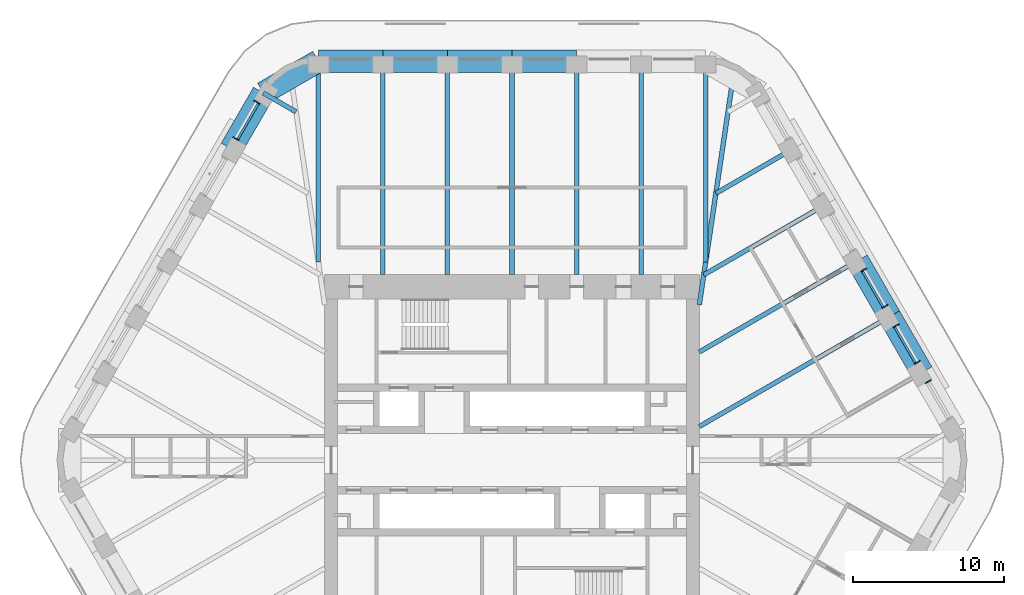
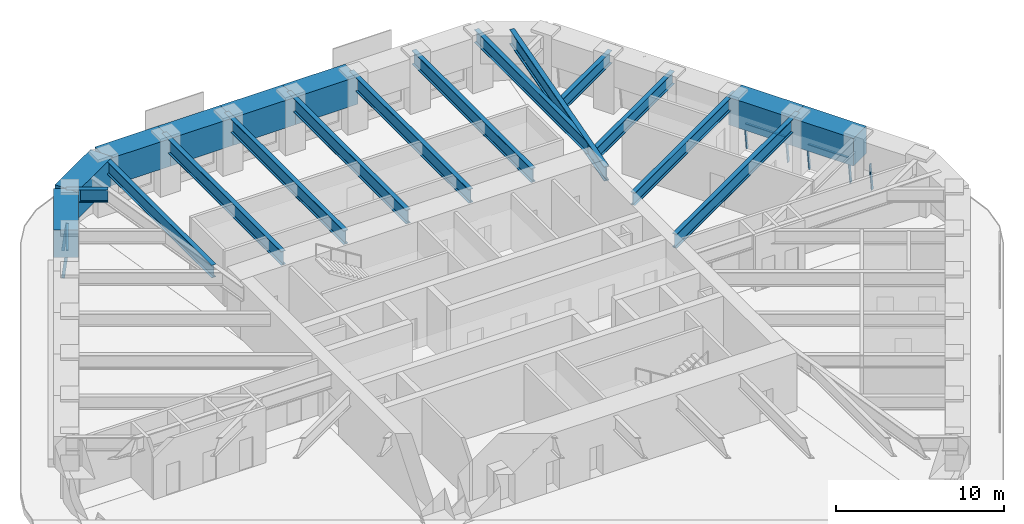
# One storey, part 9 of 18: 21 beams, 10 members, 4 elements without a shape of their own.
"""IFC4 building model written with IfcOpenShell, lengths in metres."""

from ifc_helpers import new_model, si_unit, direction, frame, origin, origin_2d, place, context, subcontext, project, spatial, rectangle, i_section, extrude, material, material_profile, profile_set, type_object, element, aggregate, save


model = new_model("IFC4")

# Units and contexts
model_context = context("Model", 3, precision=1e-05, world=origin(), true_north=direction((0.0, 1.0)))
body_context = subcontext(model_context, "Body", "Model", "MODEL_VIEW")
ifc_project = project(units=[si_unit("LENGTHUNIT", "METRE"), si_unit("AREAUNIT", "SQUARE_METRE"), si_unit("VOLUMEUNIT", "CUBIC_METRE"), si_unit("PLANEANGLEUNIT", "RADIAN"), si_unit("MASSUNIT", "GRAM", prefix="KILO")], contexts=[model_context])

# Site, building, storey
site_placement = place(None, origin())
site = spatial("IfcSite", under=ifc_project, at=site_placement, CompositionType="ELEMENT")
building_placement = place(site_placement, origin())
building = spatial("IfcBuilding", under=site, at=building_placement, Name="Tarfa Lantern Tower", CompositionType="ELEMENT")
storey_placement = place(building_placement, frame((0.0, 0.0, 315.699951171875)))
storey = spatial("IfcBuildingStorey", under=building, at=storey_placement, Name="L71", CompositionType="ELEMENT", Elevation=315.699951171875)

# Curtain wall, member
ifc_material_1 = material(Name="Aluminium framed curtain wall", Category="aluminium")
curtain_wall_type = type_object("IfcCurtainWallType", Name="CW4 CANTED GLAZING EXECUTIVE ZONE 2000", PredefinedType="USERDEFINED", material=ifc_material_1)
curtain_wall_1_placement = place(storey_placement, origin())
curtain_wall_1 = element("IfcCurtainWall", 1, at=curtain_wall_1_placement, inside=storey, type_object=curtain_wall_type, Name="CW4 NE L71", ObjectType="CURTAIN WALL", PredefinedType="USERDEFINED")
ifc_material_2 = material(Name="Aluminium mullion", Category="aluminium")
ifc_material_profile_1 = material_profile(ifc_material_2, rectangle(XDim=0.06494140625, YDim=0.199951171875, at=origin_2d()), Name="AL MULLION 65x200")
ifc_profile_set_1 = profile_set([ifc_material_profile_1], Name="Aluminium mullion")
member_type_1 = type_object("IfcMemberType", Name="CWM1 MULLION 65x200", PredefinedType="MULLION", material=ifc_profile_set_1)
member_1_placement = place(storey_placement, frame((27.727783203125, 5.27392578125, 0.0), z_axis=(-0.107439978116, -0.062017213975, 0.992275423596), x_axis=(0.499919672301, -0.866071776036, 0.0)))
member_1 = element("IfcMember", 2, at=member_1_placement, type_object=member_type_1, Name="CW4 mullion 2", PredefinedType="MULLION", context=body_context, shape_type="SweptSolid", body=[
    extrude(rectangle(XDim=0.06494140625, YDim=0.199951171875, at=origin_2d()), origin(), (0.0, 0.0, 1.0), 2.015625),
])
aggregate(curtain_wall_1, [member_1])

# Curtain wall, members
curtain_wall_2_placement = place(storey_placement, origin())
curtain_wall_2 = element("IfcCurtainWall", 3, at=curtain_wall_2_placement, inside=storey, type_object=curtain_wall_type, Name="CW4 NE L71", ObjectType="CURTAIN WALL", PredefinedType="USERDEFINED")
member_2_placement = place(storey_placement, frame((26.995361328125, 6.542724609375, 0.0), z_axis=(-0.107439978116, -0.062017213975, 0.992275423596), x_axis=(0.499919672301, -0.866071776036, 0.0)))
member_2 = element("IfcMember", 4, at=member_2_placement, type_object=member_type_1, Name="CW4 mullion 1", PredefinedType="MULLION", context=body_context, shape_type="SweptSolid", body=[
    extrude(rectangle(XDim=0.06494140625, YDim=0.199951171875, at=origin_2d()), origin(), (0.0, 0.0, 1.0), 2.015625),
])
member_3_placement = place(storey_placement, frame((25.5869140625, 8.982421875, 0.0), z_axis=(-0.107439978116, -0.062017213975, 0.992275423596), x_axis=(0.499919672301, -0.866071776036, 0.0)))
member_3 = element("IfcMember", 5, at=member_3_placement, type_object=member_type_1, Name="CW4 mullion 2", PredefinedType="MULLION", context=body_context, shape_type="SweptSolid", body=[
    extrude(rectangle(XDim=0.06494140625, YDim=0.199951171875, at=origin_2d()), origin(), (0.0, 0.0, 1.0), 2.015625),
])

curtain_wall_3_placement = place(storey_placement, origin())
curtain_wall_3 = element("IfcCurtainWall", 6, at=curtain_wall_3_placement, inside=storey, type_object=curtain_wall_type, Name="CW4 NE L71", ObjectType="CURTAIN WALL", PredefinedType="USERDEFINED")
member_4_placement = place(storey_placement, frame((24.854248046875, 10.2509765625, 0.0), z_axis=(-0.107320246625, -0.062018020623, 0.992288329964), x_axis=(0.500342721131, -0.865827443207, 0.0)))
member_4 = element("IfcMember", 7, at=member_4_placement, type_object=member_type_1, Name="CW4 mullion 1", PredefinedType="MULLION", context=body_context, shape_type="SweptSolid", body=[
    extrude(rectangle(XDim=0.06494140625, YDim=0.199951171875, at=origin_2d()), origin(), (0.0, 0.0, 1.0), 2.015625),
])
member_5_placement = place(storey_placement, frame((23.44580078125, 12.690673828125, 0.0), z_axis=(-0.107439978116, -0.062017213975, 0.992275423596), x_axis=(0.499919672301, -0.866071776036, 0.0)))
member_5 = element("IfcMember", 8, at=member_5_placement, type_object=member_type_1, Name="CW4 mullion 2", PredefinedType="MULLION", context=body_context, shape_type="SweptSolid", body=[
    extrude(rectangle(XDim=0.06494140625, YDim=0.199951171875, at=origin_2d()), origin(), (0.0, 0.0, 1.0), 2.015625),
])

curtain_wall_4_placement = place(storey_placement, origin())
curtain_wall_4 = element("IfcCurtainWall", 9, at=curtain_wall_4_placement, inside=storey, type_object=curtain_wall_type, Name="CW4 NW L71", ObjectType="CURTAIN WALL", PredefinedType="USERDEFINED")
member_6_placement = place(storey_placement, frame((-17.022705078125, 23.815673828125, 0.0), z_axis=(0.107320246625, -0.062018020623, 0.992288329964), x_axis=(0.500342721131, 0.865827443207, 0.0)))
member_6 = element("IfcMember", 10, at=member_6_placement, type_object=member_type_1, Name="CW4 mullion 1", PredefinedType="MULLION", context=body_context, shape_type="SweptSolid", body=[
    extrude(rectangle(XDim=0.06494140625, YDim=0.199951171875, at=origin_2d()), origin(), (0.0, 0.0, 1.0), 2.015625),
])
member_7_placement = place(storey_placement, frame((-18.431396484375, 21.3759765625, 0.0), z_axis=(0.107439978116, -0.062017213975, 0.992275423596), x_axis=(0.499919672301, 0.866071776036, 0.0)))
member_7 = element("IfcMember", 11, at=member_7_placement, type_object=member_type_1, Name="CW4 mullion 2", PredefinedType="MULLION", context=body_context, shape_type="SweptSolid", body=[
    extrude(rectangle(XDim=0.06494140625, YDim=0.199951171875, at=origin_2d()), origin(), (0.0, 0.0, 1.0), 2.015625),
])

# Member
ifc_material_3 = material(Name="Aluminium transom", Category="aluminium")
ifc_material_profile_2 = material_profile(ifc_material_3, rectangle(XDim=0.14990234375, YDim=0.06494140625, at=origin_2d()), Name="AL TRANSOM 150x65")
ifc_profile_set_2 = profile_set([ifc_material_profile_2], Name="Aluminium transom")
member_type_2 = type_object("IfcMemberType", Name="CWT1 TRANSOM 150x65", PredefinedType="USERDEFINED", material=ifc_profile_set_2)
member_8_placement = place(storey_placement, frame((26.76611328125, 6.44775390625, 1.967529296875), z_axis=(-0.499955378711, 0.866051164365, 0.0), x_axis=(-0.866051164365, -0.499955378711, 0.0)))
member_8 = element("IfcMember", 12, at=member_8_placement, type_object=member_type_2, Name="CW4 transom 1.2", ObjectType="TRANSOM", PredefinedType="USERDEFINED", context=body_context, shape_type="SweptSolid", body=[
    extrude(rectangle(XDim=0.14990234375, YDim=0.06494140625, at=origin_2d()), origin(), (0.0, 0.0, 1.0), 2.752197265625),
])

aggregate(curtain_wall_2, [member_2, member_3, member_8])

member_9_placement = place(storey_placement, frame((24.625, 10.15625, 1.967529296875), z_axis=(-0.499993790352, 0.866028988896, 0.0), x_axis=(-0.866028988896, -0.499993790352, 0.0)))
member_9 = element("IfcMember", 13, at=member_9_placement, type_object=member_type_2, Name="CW4 transom 1.2", ObjectType="TRANSOM", PredefinedType="USERDEFINED", context=body_context, shape_type="SweptSolid", body=[
    extrude(rectangle(XDim=0.14990234375, YDim=0.06494140625, at=origin_2d()), origin(), (0.0, 0.0, 1.0), 2.751953125),
])

aggregate(curtain_wall_3, [member_4, member_5, member_9])

member_10_placement = place(storey_placement, frame((-16.826171875, 23.66455078125, 1.967529296875), z_axis=(-0.499993790352, -0.866028988896, 0.0), x_axis=(0.866028988896, -0.499993790352, 0.0)))
member_10 = element("IfcMember", 14, at=member_10_placement, type_object=member_type_2, Name="CW4 transom 1.2", ObjectType="TRANSOM", PredefinedType="USERDEFINED", context=body_context, shape_type="SweptSolid", body=[
    extrude(rectangle(XDim=0.14990234375, YDim=0.06494140625, at=origin_2d()), origin(), (0.0, 0.0, 1.0), 2.751953125),
])

aggregate(curtain_wall_4, [member_6, member_7, member_10])

# Beams
ifc_material_4 = material(Name="Concrete C80/95", Category="concrete")
ifc_material_profile_3 = material_profile(ifc_material_4, rectangle(XDim=1.5, YDim=2.0, at=origin_2d()), Name="RC 1500x2000")
ifc_profile_set_3 = profile_set([ifc_material_profile_3], Name="Concrete C80/95")
beam_type_1 = type_object("IfcBeamType", Name="RB3 RC 1500x2000", PredefinedType="BEAM", material=ifc_profile_set_3)
beam_1_placement = place(storey_placement, frame((27.205810546875, 5.818359375, 3.0), z_axis=(-0.500026801138, 0.866009929587, 0.0), x_axis=(-0.866009929587, -0.500026801138, 0.0)))
element("IfcBeam", 15, at=beam_1_placement, inside=storey, type_object=beam_type_1, Name="Edge beam NE1", PredefinedType="BEAM", context=body_context, shape_type="SweptSolid", body=[
    extrude(rectangle(XDim=1.5, YDim=2.0, at=origin_2d()), origin(), (0.0, 0.0, 1.0), 4.281982421875),
])
beam_2_placement = place(storey_placement, frame((25.064697265625, 9.526611328125, 3.0), z_axis=(-0.500002112793, 0.866024183959, 0.0), x_axis=(-0.866024183959, -0.500002112793, 0.0)))
element("IfcBeam", 16, at=beam_2_placement, inside=storey, type_object=beam_type_1, Name="Edge beam NE2", PredefinedType="BEAM", context=body_context, shape_type="SweptSolid", body=[
    extrude(rectangle(XDim=1.5, YDim=2.0, at=origin_2d()), origin(), (0.0, 0.0, 1.0), 4.2822265625),
])
for number, where, z_axis, x_axis, name in (
    (17, (4.281982421875, 26.469970703125, 3.0), (-1.0, 0.0, 0.0), (0.0, -1.0, 0.0), "Edge beam N2"),
    (18, (0.0, 26.469970703125, 3.0), (-1.0, 0.0, 0.0), (0.0, -1.0, 0.0), "Edge beam N3"),
    (19, (-4.281982421875, 26.469970703125, 3.0), (-1.0, 0.0, 0.0), (0.0, -1.0, 0.0), "Edge beam N4"),
    (20, (-8.56396484375, 26.469970703125, 3.0), (-1.0, 0.0, 0.0), (0.0, -1.0, 0.0), "Edge beam N5"),
):
    element("IfcBeam", number, at=place(storey_placement, frame(where, z_axis=z_axis, x_axis=x_axis)), inside=storey, type_object=beam_type_1, Name=name, PredefinedType="BEAM", context=body_context, shape_type="SweptSolid", body=[
        extrude(rectangle(XDim=1.5, YDim=2.0, at=origin_2d()), origin(), (0.0, 0.0, 1.0), 4.281982421875),
    ])
beam_3_placement = place(storey_placement, frame((-12.845947265625, 26.469970703125, 3.0), z_axis=(-0.866048788483, -0.499959494327, 0.0), x_axis=(0.499959494327, -0.866048788483, 0.0)))
element("IfcBeam", 21, at=beam_3_placement, inside=storey, type_object=beam_type_1, Name="Edge beam N6", PredefinedType="BEAM", context=body_context, shape_type="SweptSolid", body=[
    extrude(rectangle(XDim=1.5, YDim=2.0, at=origin_2d()), origin(), (0.0, 0.0, 1.0), 4.219970703125),
])
beam_4_placement = place(storey_placement, frame((-16.500732421875, 24.360107421875, 3.0), z_axis=(-0.499959351497, -0.866048870937, 0.0), x_axis=(0.866048870937, -0.499959351497, 0.0)))
element("IfcBeam", 22, at=beam_4_placement, inside=storey, type_object=beam_type_1, Name="Edge beam NW0", PredefinedType="BEAM", context=body_context, shape_type="SweptSolid", body=[
    extrude(rectangle(XDim=1.5, YDim=2.0, at=origin_2d()), origin(), (0.0, 0.0, 1.0), 4.281982421875),
])
ifc_material_5 = material(Name="Steel S460M", Category="steel")
ifc_material_profile_4 = material_profile(ifc_material_5, i_section(OverallWidth=0.302001953125, OverallDepth=1.008056640625, WebThickness=0.02099609375, FlangeThickness=0.0400390625, FilletRadius=0.030029296875, at=origin_2d()), Name="UB1016x305x349")
ifc_profile_set_4 = profile_set([ifc_material_profile_4], Name="Steel S460M")
beam_type_2 = type_object("IfcBeamType", Name="UB1016x305x349", PredefinedType="BEAM", material=ifc_profile_set_4)
beam_5_placement = place(storey_placement, frame((25.064697265625, 9.526611328125, 3.49609375), z_axis=(-0.866029591389, -0.499992746786, 0.0), x_axis=(0.499992746786, -0.866029591389, 0.0)))
element("IfcBeam", 23, at=beam_5_placement, inside=storey, type_object=beam_type_2, Name="Floor beam NE2", PredefinedType="BEAM", context=body_context, shape_type="SweptSolid", body=[
    extrude(i_section(OverallWidth=0.302001953125, OverallDepth=1.008056640625, WebThickness=0.02099609375, FlangeThickness=0.0400390625, FilletRadius=0.030029296875, at=origin_2d()), origin(), (0.0, 0.0, 1.0), 14.594970703125),
])
for number, where, z_axis, x_axis, name in (
    (24, (8.56396484375, 26.469970703125, 3.49609375), (0.0, -1.0, 0.0), (1.0, 0.0, 0.0), "Floor beam N1"),
    (25, (4.281982421875, 26.469970703125, 3.49609375), (0.0, -1.0, 0.0), (1.0, 0.0, 0.0), "Floor beam N2"),
    (26, (0.0, 26.469970703125, 3.49609375), (0.0, -1.0, 0.0), (1.0, 0.0, 0.0), "Floor beam N3"),
    (27, (-4.281982421875, 26.469970703125, 3.49609375), (0.0, -1.0, 0.0), (1.0, 0.0, 0.0), "Floor beam N4"),
    (28, (-8.56396484375, 26.469970703125, 3.49609375), (0.0, -1.0, 0.0), (1.0, 0.0, 0.0), "Floor beam N5"),
):
    element("IfcBeam", number, at=place(storey_placement, frame(where, z_axis=z_axis, x_axis=x_axis)), inside=storey, type_object=beam_type_2, Name=name, PredefinedType="BEAM", context=body_context, shape_type="SweptSolid", body=[
        extrude(i_section(OverallWidth=0.302001953125, OverallDepth=1.008056640625, WebThickness=0.02099609375, FlangeThickness=0.0400390625, FilletRadius=0.030029296875, at=origin_2d()), origin(), (0.0, 0.0, 1.0), 14.169921875),
    ])
ifc_material_profile_5 = material_profile(ifc_material_5, i_section(OverallWidth=0.314208984375, OverallDepth=1.055908203125, WebThickness=0.035888671875, FlangeThickness=0.06396484375, FilletRadius=0.030029296875, at=origin_2d()), Name="UB1016x305x584")
ifc_profile_set_5 = profile_set([ifc_material_profile_5], Name="Steel S460M")
beam_type_3 = type_object("IfcBeamType", Name="UB1016x305x584", PredefinedType="BEAM", material=ifc_profile_set_5)
beam_6_placement = place(storey_placement, frame((12.425048828125, 10.300048828125, 3.47216796875), z_axis=(0.147127069073, 0.989117599452, 0.0), x_axis=(-0.989117599452, 0.147127069073, 0.0)))
element("IfcBeam", 29, at=beam_6_placement, inside=storey, type_object=beam_type_3, Name="Hip girder NE", PredefinedType="BEAM", context=body_context, shape_type="SweptSolid", body=[
    extrude(i_section(OverallWidth=0.314208984375, OverallDepth=1.055908203125, WebThickness=0.035888671875, FlangeThickness=0.06396484375, FilletRadius=0.030029296875, at=origin_2d()), origin(), (0.0, 0.0, 1.0), 15.28125),
])
ifc_material_profile_6 = material_profile(ifc_material_5, i_section(OverallWidth=0.305419921875, OverallDepth=0.91845703125, WebThickness=0.017333984375, FlangeThickness=0.02783203125, FilletRadius=0.01904296875, at=origin_2d()), Name="UB914x305x253")
ifc_profile_set_6 = profile_set([ifc_material_profile_6], Name="Steel S460M")
beam_type_4 = type_object("IfcBeamType", Name="UB914x305x253", PredefinedType="BEAM", material=ifc_profile_set_6)
beam_7_placement = place(storey_placement, frame((22.923583984375, 13.235107421875, 3.540771484375), z_axis=(-0.86601856927, -0.500011837539, 0.0), x_axis=(0.500011837539, -0.86601856927, 0.0)))
element("IfcBeam", 30, at=beam_7_placement, inside=storey, type_object=beam_type_4, Name="Floor beam NE3", PredefinedType="BEAM", context=body_context, shape_type="SweptSolid", body=[
    extrude(i_section(OverallWidth=0.305419921875, OverallDepth=0.91845703125, WebThickness=0.017333984375, FlangeThickness=0.02783203125, FilletRadius=0.01904296875, at=origin_2d()), origin(), (0.0, 0.0, 1.0), 12.122802734375),
])
beam_8_placement = place(storey_placement, frame((20.78271484375, 16.943359375, 3.540771484375), z_axis=(-0.866021806508, -0.500006230613, 0.0), x_axis=(0.500006230613, -0.866021806508, 0.0)))
element("IfcBeam", 31, at=beam_8_placement, inside=storey, type_object=beam_type_4, Name="Floor beam NE4", PredefinedType="BEAM", context=body_context, shape_type="SweptSolid", body=[
    extrude(i_section(OverallWidth=0.305419921875, OverallDepth=0.91845703125, WebThickness=0.017333984375, FlangeThickness=0.02783203125, FilletRadius=0.01904296875, at=origin_2d()), origin(), (0.0, 0.0, 1.0), 9.30908203125),
])
beam_9_placement = place(storey_placement, frame((18.6416015625, 20.651611328125, 3.540771484375), z_axis=(-0.866024549157, -0.500001480256, 0.0), x_axis=(0.500001480256, -0.866024549157, 0.0)))
element("IfcBeam", 32, at=beam_9_placement, inside=storey, type_object=beam_type_4, Name="Floor beam NE5", PredefinedType="BEAM", context=body_context, shape_type="SweptSolid", body=[
    extrude(i_section(OverallWidth=0.305419921875, OverallDepth=0.91845703125, WebThickness=0.017333984375, FlangeThickness=0.02783203125, FilletRadius=0.01904296875, at=origin_2d()), origin(), (0.0, 0.0, 1.0), 5.90771484375),
])
for number, where, z_axis, x_axis, name in (
    (33, (12.845947265625, 26.469970703125, 3.540771484375), (0.0, -1.0, 0.0), (1.0, 0.0, 0.0), "Floor beam N0"),
    (34, (-12.845947265625, 26.469970703125, 3.540771484375), (0.0, -1.0, 0.0), (1.0, 0.0, 0.0), "Floor beam N6"),
):
    element("IfcBeam", number, at=place(storey_placement, frame(where, z_axis=z_axis, x_axis=x_axis)), inside=storey, type_object=beam_type_4, Name=name, PredefinedType="BEAM", context=body_context, shape_type="SweptSolid", body=[
        extrude(i_section(OverallWidth=0.305419921875, OverallDepth=0.91845703125, WebThickness=0.017333984375, FlangeThickness=0.02783203125, FilletRadius=0.01904296875, at=origin_2d()), origin(), (0.0, 0.0, 1.0), 13.33935546875),
    ])
beam_10_placement = place(storey_placement, frame((-16.500732421875, 24.360107421875, 3.540771484375), z_axis=(0.865992557167, -0.500056887695, 0.0), x_axis=(0.500056887695, 0.865992557167, 0.0)))
element("IfcBeam", 35, at=beam_10_placement, inside=storey, type_object=beam_type_4, Name="Floor beam NW0", PredefinedType="BEAM", context=body_context, shape_type="SweptSolid", body=[
    extrude(i_section(OverallWidth=0.305419921875, OverallDepth=0.91845703125, WebThickness=0.017333984375, FlangeThickness=0.02783203125, FilletRadius=0.01904296875, at=origin_2d()), origin(), (0.0, 0.0, 1.0), 2.506591796875),
])

save(model, "model.ifc")
